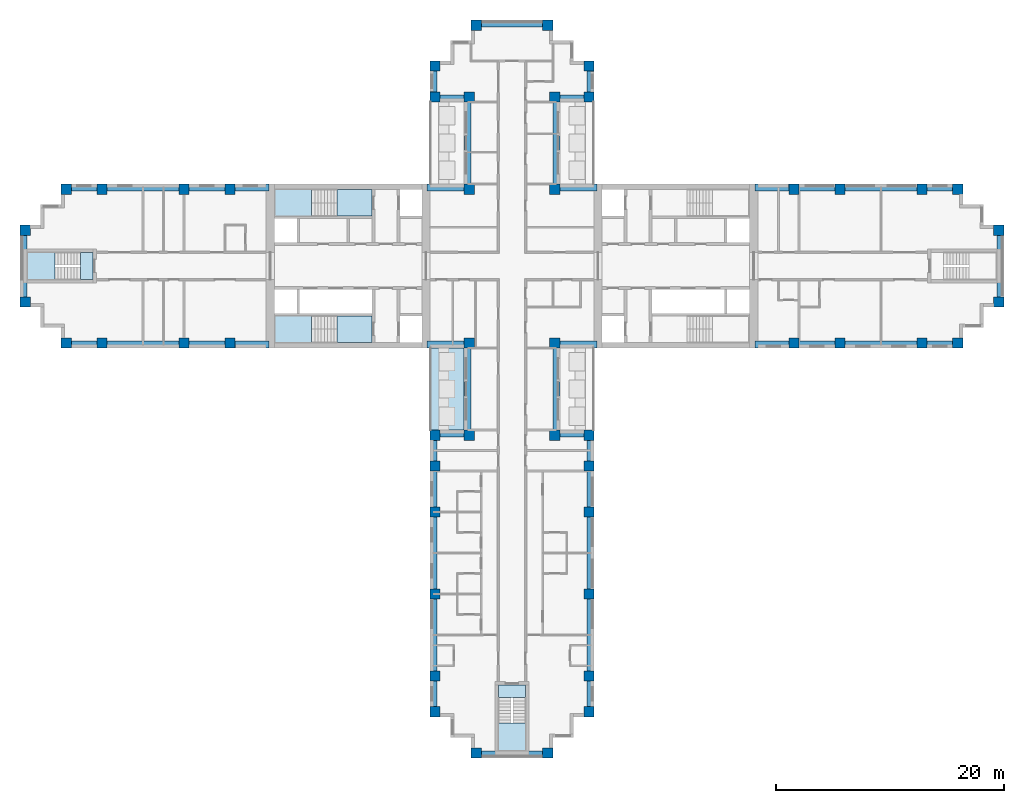
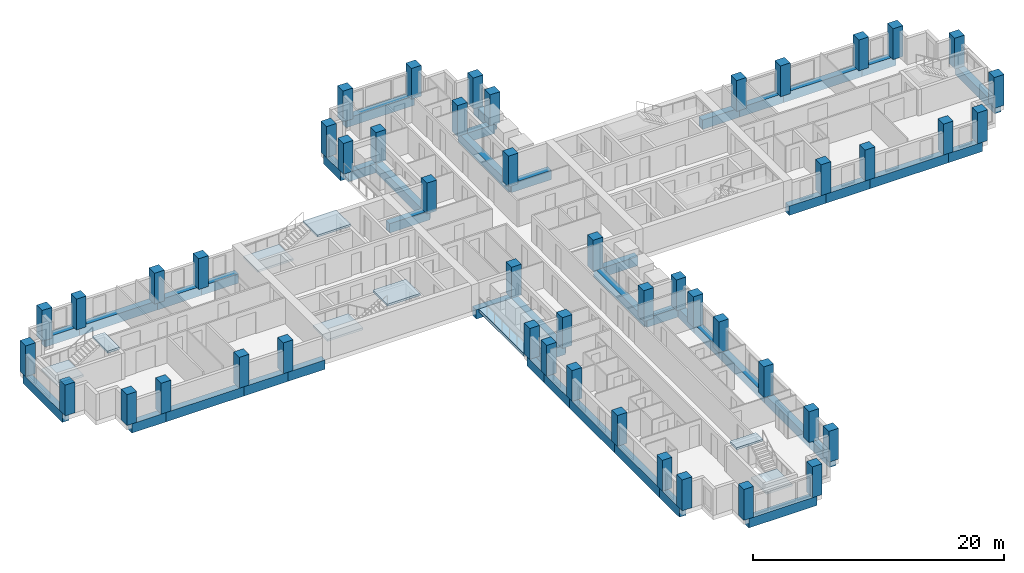
# One storey, part 1 of 13: 48 columns, 44 beams, 9 slabs, 4 elements without a shape of their own.
"""IFC4 building model written with IfcOpenShell, lengths in metres."""

from ifc_helpers import new_model, si_unit, direction, frame, origin, origin_2d, place, context, subcontext, project, spatial, polyline, rectangle, outline, extrude, material, layer, layer_set, material_profile, profile_set, type_object, element, aggregate, save


model = new_model("IFC4")

# Units and contexts
model_context = context("Model", 3, precision=1e-05, world=origin(), true_north=direction((0.0, 1.0)))
body_context = subcontext(model_context, "Body", "Model", "MODEL_VIEW")
ifc_project = project(units=[si_unit("LENGTHUNIT", "METRE"), si_unit("AREAUNIT", "SQUARE_METRE"), si_unit("VOLUMEUNIT", "CUBIC_METRE"), si_unit("PLANEANGLEUNIT", "RADIAN"), si_unit("MASSUNIT", "GRAM", prefix="KILO")], contexts=[model_context])

# Site, building, storey
site_placement = place(None, origin())
site = spatial("IfcSite", under=ifc_project, at=site_placement, CompositionType="ELEMENT")
building_placement = place(site_placement, origin())
building = spatial("IfcBuilding", under=site, at=building_placement, Name="Fustian Cross Tower", CompositionType="ELEMENT")
storey_placement = place(building_placement, frame((0.0, 0.0, 108.89990234375)))
storey = spatial("IfcBuildingStorey", under=building, at=storey_placement, Name="L34", CompositionType="ELEMENT", Elevation=108.89990234375)

# Columns
ifc_material_1 = material(Name="Concrete C60/75", Category="concrete")
ifc_material_profile_1 = material_profile(ifc_material_1, rectangle(XDim=0.89990234375, YDim=0.89990234375, at=origin_2d()), Name="RC 900x900")
ifc_profile_set_1 = profile_set([ifc_material_profile_1], Name="Concrete C60/75")
column_type = type_object("IfcColumnType", Name="COLUMN RC 900x900 C60/75", PredefinedType="COLUMN", material=ifc_profile_set_1)
for number, where, z_axis, x_axis, name in (
    (1, (-42.75, -3.14990234375, 0.0), (0.0, 0.0, 1.0), (1.0, 0.0, 0.0), "COLUMN 001"),
    (2, (-42.75, 3.14990234375, 0.0), (0.0, 0.0, 1.0), (1.0, 0.0, 0.0), "COLUMN 002"),
    (3, (-39.14990234375, -6.75, 0.0), (0.0, 0.0, 1.0), (1.0, 0.0, 0.0), "COLUMN 003"),
    (4, (-39.14990234375, 6.75, 0.0), (0.0, 0.0, 1.0), (1.0, 0.0, 0.0), "COLUMN 004"),
    (5, (-36.0, -6.75, 0.0), (0.0, 0.0, 1.0), (1.0, 0.0, 0.0), "COLUMN 005"),
    (6, (-36.0, 6.75, 0.0), (0.0, 0.0, 1.0), (1.0, 0.0, 0.0), "COLUMN 006"),
    (7, (-28.800048828125, -6.75, 0.0), (0.0, 0.0, 1.0), (1.0, 0.0, 0.0), "COLUMN 007"),
    (8, (-28.800048828125, 6.75, 0.0), (0.0, 0.0, 1.0), (1.0, 0.0, 0.0), "COLUMN 010"),
    (9, (-24.75, -6.75, 0.0), (0.0, 0.0, 1.0), (1.0, 0.0, 0.0), "COLUMN 011"),
    (10, (-24.75, 6.75, 0.0), (0.0, 0.0, 1.0), (1.0, 0.0, 0.0), "COLUMN 012"),
    (11, (-6.75, -39.14990234375, 0.0), (0.0, 0.0, 1.0), (1.0, 0.0, 0.0), "COLUMN 013"),
    (12, (-6.75, -36.0, 0.0), (0.0, 0.0, 1.0), (1.0, 0.0, 0.0), "COLUMN 014"),
    (13, (-6.75, -28.800048828125, 0.0), (0.0, 0.0, 1.0), (1.0, 0.0, 0.0), "COLUMN 015"),
    (14, (-6.75, -21.60009765625, 0.0), (0.0, 0.0, 1.0), (1.0, 0.0, 0.0), "COLUMN 016"),
    (15, (-6.75, -17.550048828125, 0.0), (0.0, 0.0, 1.0), (1.0, 0.0, 0.0), "COLUMN 017"),
    (16, (-6.75, -14.85009765625, 0.0), (0.0, 0.0, 1.0), (1.0, 0.0, 0.0), "COLUMN 018"),
    (17, (-6.75, 14.85009765625, 0.0), (0.0, 0.0, 1.0), (1.0, 0.0, 0.0), "COLUMN 019"),
    (18, (-6.75, 17.550048828125, 0.0), (0.0, 0.0, 1.0), (1.0, 0.0, 0.0), "COLUMN 020"),
    (19, (-3.75, -14.85009765625, 0.0), (0.0, 0.0, 1.0), (1.0, 0.0, 0.0), "COLUMN 025"),
    (20, (-3.75, -6.75, 0.0), (0.0, 0.0, 1.0), (1.0, 0.0, 0.0), "COLUMN 026"),
    (21, (-3.75, 6.75, 0.0), (0.0, 0.0, 1.0), (1.0, 0.0, 0.0), "COLUMN 027"),
    (22, (-3.75, 14.85009765625, 0.0), (0.0, 0.0, 1.0), (1.0, 0.0, 0.0), "COLUMN 028"),
    (23, (-3.14990234375, -42.75, 0.0), (0.0, 0.0, 1.0), (1.0, 0.0, 0.0), "COLUMN 029"),
    (24, (-3.14990234375, 21.14990234375, 0.0), (0.0, 0.0, 1.0), (1.0, 0.0, 0.0), "COLUMN 031"),
    (25, (3.14990234375, -42.75, 0.0), (0.0, 0.0, 1.0), (1.0, 0.0, 0.0), "COLUMN 033"),
    (26, (3.14990234375, 21.14990234375, 0.0), (0.0, 0.0, 1.0), (1.0, 0.0, 0.0), "COLUMN 035"),
    (27, (3.75, -14.85009765625, 0.0), (0.0, 0.0, 1.0), (1.0, 0.0, 0.0), "COLUMN 037"),
    (28, (3.75, -6.75, 0.0), (0.0, 0.0, 1.0), (1.0, 0.0, 0.0), "COLUMN 038"),
    (29, (3.75, 6.75, 0.0), (0.0, 0.0, 1.0), (1.0, 0.0, 0.0), "COLUMN 039"),
    (30, (3.75, 14.85009765625, 0.0), (0.0, 0.0, 1.0), (1.0, 0.0, 0.0), "COLUMN 040"),
    (31, (6.75, -39.14990234375, 0.0), (0.0, 0.0, 1.0), (1.0, 0.0, 0.0), "COLUMN 041"),
    (32, (6.75, -36.0, 0.0), (0.0, 0.0, 1.0), (1.0, 0.0, 0.0), "COLUMN 042"),
    (33, (6.75, -28.800048828125, 0.0), (0.0, 0.0, 1.0), (1.0, 0.0, 0.0), "COLUMN 043"),
    (34, (6.75, -21.60009765625, 0.0), (0.0, 0.0, 1.0), (1.0, 0.0, 0.0), "COLUMN 044"),
    (35, (6.75, -17.550048828125, 0.0), (0.0, 0.0, 1.0), (1.0, 0.0, 0.0), "COLUMN 045"),
    (36, (6.75, -14.85009765625, 0.0), (0.0, 0.0, 1.0), (1.0, 0.0, 0.0), "COLUMN 046"),
    (37, (6.75, 14.85009765625, 0.0), (0.0, 0.0, 1.0), (1.0, 0.0, 0.0), "COLUMN 047"),
    (38, (6.75, 17.550048828125, 0.0), (0.0, 0.0, 1.0), (1.0, 0.0, 0.0), "COLUMN 048"),
    (39, (24.75, -6.75, 0.0), (0.0, 0.0, 1.0), (1.0, 0.0, 0.0), "COLUMN 053"),
    (40, (24.75, 6.75, 0.0), (0.0, 0.0, 1.0), (1.0, 0.0, 0.0), "COLUMN 054"),
    (41, (28.800048828125, -6.75, 0.0), (0.0, 0.0, 1.0), (1.0, 0.0, 0.0), "COLUMN 055"),
    (42, (28.800048828125, 6.75, 0.0), (0.0, 0.0, 1.0), (1.0, 0.0, 0.0), "COLUMN 058"),
    (43, (36.0, -6.75, 0.0), (0.0, 0.0, 1.0), (1.0, 0.0, 0.0), "COLUMN 059"),
    (44, (36.0, 6.75, 0.0), (0.0, 0.0, 1.0), (1.0, 0.0, 0.0), "COLUMN 060"),
    (45, (39.14990234375, -6.75, 0.0), (0.0, 0.0, 1.0), (1.0, 0.0, 0.0), "COLUMN 061"),
    (46, (39.14990234375, 6.75, 0.0), (0.0, 0.0, 1.0), (1.0, 0.0, 0.0), "COLUMN 062"),
    (47, (42.75, -3.14990234375, 0.0), (0.0, 0.0, 1.0), (1.0, 0.0, 0.0), "COLUMN 063"),
    (48, (42.75, 3.14990234375, 0.0), (0.0, 0.0, 1.0), (1.0, 0.0, 0.0), "COLUMN 064"),
):
    element("IfcColumn", number, at=place(storey_placement, frame(where, z_axis=z_axis, x_axis=x_axis)), inside=storey, type_object=column_type, Name=name, PredefinedType="COLUMN", context=body_context, shape_type="SweptSolid", body=[
        extrude(rectangle(XDim=0.89990234375, YDim=0.89990234375, at=origin_2d()), origin(), (0.0, 0.0, 1.0), 3.0),
    ])

# Beams
ifc_material_2 = material(Name="Concrete C50/60", Category="concrete")
ifc_material_profile_2 = material_profile(ifc_material_2, rectangle(XDim=0.60009765625, YDim=0.89990234375, at=origin_2d()), Name="RC 600x900")
ifc_profile_set_2 = profile_set([ifc_material_profile_2], Name="Concrete C50/60")
beam_type = type_object("IfcBeamType", Name="EDGE BEAM RC 600x900 C50/60", PredefinedType="SPANDREL", material=ifc_profile_set_2)
beam_1_placement = place(storey_placement, frame((21.35009765625, -6.89990234375, -0.449951171875), z_axis=(1.0, 0.0, 0.0), x_axis=(0.0, 1.0, 0.0)))
element("IfcBeam", 49, at=beam_1_placement, inside=storey, type_object=beam_type, Name="EDGE BEAM L34-01", PredefinedType="SPANDREL", context=body_context, shape_type="SweptSolid", body=[
    extrude(rectangle(XDim=0.60009765625, YDim=0.89990234375, at=origin_2d()), origin(), (0.0, 0.0, 1.0), 3.39990234375),
])
beam_2_placement = place(storey_placement, frame((24.75, -6.89990234375, -0.449951171875), z_axis=(1.0, 0.0, 0.0), x_axis=(0.0, 1.0, 0.0)))
element("IfcBeam", 50, at=beam_2_placement, inside=storey, type_object=beam_type, Name="EDGE BEAM L34-02", PredefinedType="SPANDREL", context=body_context, shape_type="SweptSolid", body=[
    extrude(rectangle(XDim=0.60009765625, YDim=0.89990234375, at=origin_2d()), origin(), (0.0, 0.0, 1.0), 4.050048828125),
])
beam_3_placement = place(storey_placement, frame((28.800048828125, -6.89990234375, -0.449951171875), z_axis=(1.0, 0.0, 0.0), x_axis=(0.0, 1.0, 0.0)))
element("IfcBeam", 51, at=beam_3_placement, inside=storey, type_object=beam_type, Name="EDGE BEAM L34-03", PredefinedType="SPANDREL", context=body_context, shape_type="SweptSolid", body=[
    extrude(rectangle(XDim=0.60009765625, YDim=0.89990234375, at=origin_2d()), origin(), (0.0, 0.0, 1.0), 7.199951171875),
])
beam_4_placement = place(storey_placement, frame((36.0, -6.89990234375, -0.449951171875), z_axis=(1.0, 0.0, 0.0), x_axis=(0.0, 1.0, 0.0)))
element("IfcBeam", 52, at=beam_4_placement, inside=storey, type_object=beam_type, Name="EDGE BEAM L34-04", PredefinedType="SPANDREL", context=body_context, shape_type="SweptSolid", body=[
    extrude(rectangle(XDim=0.60009765625, YDim=0.89990234375, at=origin_2d()), origin(), (0.0, 0.0, 1.0), 3.14990234375),
])
beam_5_placement = place(storey_placement, frame((42.89990234375, -3.14990234375, -0.449951171875), z_axis=(0.0, 1.0, 0.0), x_axis=(-1.0, 0.0, 0.0)))
element("IfcBeam", 53, at=beam_5_placement, inside=storey, type_object=beam_type, Name="EDGE BEAM L34-05", PredefinedType="SPANDREL", context=body_context, shape_type="SweptSolid", body=[
    extrude(rectangle(XDim=0.60009765625, YDim=0.89990234375, at=origin_2d()), origin(), (0.0, 0.0, 1.0), 6.2998046875),
])
beam_6_placement = place(storey_placement, frame((39.14990234375, 6.89990234375, -0.449951171875), z_axis=(-1.0, 0.0, 0.0), x_axis=(0.0, -1.0, 0.0)))
element("IfcBeam", 54, at=beam_6_placement, inside=storey, type_object=beam_type, Name="EDGE BEAM L34-06", PredefinedType="SPANDREL", context=body_context, shape_type="SweptSolid", body=[
    extrude(rectangle(XDim=0.60009765625, YDim=0.89990234375, at=origin_2d()), origin(), (0.0, 0.0, 1.0), 3.14990234375),
])
beam_7_placement = place(storey_placement, frame((36.0, 6.89990234375, -0.449951171875), z_axis=(-1.0, 0.0, 0.0), x_axis=(0.0, -1.0, 0.0)))
element("IfcBeam", 55, at=beam_7_placement, inside=storey, type_object=beam_type, Name="EDGE BEAM L34-07", PredefinedType="SPANDREL", context=body_context, shape_type="SweptSolid", body=[
    extrude(rectangle(XDim=0.60009765625, YDim=0.89990234375, at=origin_2d()), origin(), (0.0, 0.0, 1.0), 7.199951171875),
])
beam_8_placement = place(storey_placement, frame((28.800048828125, 6.89990234375, -0.449951171875), z_axis=(-1.0, 0.0, 0.0), x_axis=(0.0, -1.0, 0.0)))
element("IfcBeam", 56, at=beam_8_placement, inside=storey, type_object=beam_type, Name="EDGE BEAM L34-08", PredefinedType="SPANDREL", context=body_context, shape_type="SweptSolid", body=[
    extrude(rectangle(XDim=0.60009765625, YDim=0.89990234375, at=origin_2d()), origin(), (0.0, 0.0, 1.0), 4.050048828125),
])
beam_9_placement = place(storey_placement, frame((24.75, 6.89990234375, -0.449951171875), z_axis=(-1.0, 0.0, 0.0), x_axis=(0.0, -1.0, 0.0)))
element("IfcBeam", 57, at=beam_9_placement, inside=storey, type_object=beam_type, Name="EDGE BEAM L34-09", PredefinedType="SPANDREL", context=body_context, shape_type="SweptSolid", body=[
    extrude(rectangle(XDim=0.60009765625, YDim=0.89990234375, at=origin_2d()), origin(), (0.0, 0.0, 1.0), 3.39990234375),
])
beam_10_placement = place(storey_placement, frame((7.449951171875, 6.89990234375, -0.449951171875), z_axis=(-1.0, 0.0, 0.0), x_axis=(0.0, -1.0, 0.0)))
element("IfcBeam", 58, at=beam_10_placement, inside=storey, type_object=beam_type, Name="EDGE BEAM L34-10", PredefinedType="SPANDREL", context=body_context, shape_type="SweptSolid", body=[
    extrude(rectangle(XDim=0.60009765625, YDim=0.89990234375, at=origin_2d()), origin(), (0.0, 0.0, 1.0), 3.699951171875),
])
beam_11_placement = place(storey_placement, frame((3.89990234375, 6.75, -0.449951171875), z_axis=(0.0, 1.0, 0.0), x_axis=(-1.0, 0.0, 0.0)))
element("IfcBeam", 59, at=beam_11_placement, inside=storey, type_object=beam_type, Name="EDGE BEAM L34-11", PredefinedType="SPANDREL", context=body_context, shape_type="SweptSolid", body=[
    extrude(rectangle(XDim=0.60009765625, YDim=0.89990234375, at=origin_2d()), origin(), (0.0, 0.0, 1.0), 8.10009765625),
])
beam_12_placement = place(storey_placement, frame((3.75, 14.699951171875, -0.449951171875), z_axis=(1.0, 0.0, 0.0), x_axis=(0.0, 1.0, 0.0)))
element("IfcBeam", 60, at=beam_12_placement, inside=storey, type_object=beam_type, Name="EDGE BEAM L34-12", PredefinedType="SPANDREL", context=body_context, shape_type="SweptSolid", body=[
    extrude(rectangle(XDim=0.60009765625, YDim=0.89990234375, at=origin_2d()), origin(), (0.0, 0.0, 1.0), 3.0),
])
beam_13_placement = place(storey_placement, frame((6.89990234375, 14.85009765625, -0.449951171875), z_axis=(0.0, 1.0, 0.0), x_axis=(-1.0, 0.0, 0.0)))
element("IfcBeam", 61, at=beam_13_placement, inside=storey, type_object=beam_type, Name="EDGE BEAM L34-13", PredefinedType="SPANDREL", context=body_context, shape_type="SweptSolid", body=[
    extrude(rectangle(XDim=0.60009765625, YDim=0.89990234375, at=origin_2d()), origin(), (0.0, 0.0, 1.0), 2.699951171875),
])
beam_14_placement = place(storey_placement, frame((3.14990234375, 21.300048828125, -0.449951171875), z_axis=(-1.0, 0.0, 0.0), x_axis=(0.0, -1.0, 0.0)))
element("IfcBeam", 62, at=beam_14_placement, inside=storey, type_object=beam_type, Name="EDGE BEAM L34-14", PredefinedType="SPANDREL", context=body_context, shape_type="SweptSolid", body=[
    extrude(rectangle(XDim=0.60009765625, YDim=0.89990234375, at=origin_2d()), origin(), (0.0, 0.0, 1.0), 6.2998046875),
])
beam_15_placement = place(storey_placement, frame((-6.89990234375, 17.550048828125, -0.449951171875), z_axis=(0.0, -1.0, 0.0), x_axis=(1.0, 0.0, 0.0)))
element("IfcBeam", 63, at=beam_15_placement, inside=storey, type_object=beam_type, Name="EDGE BEAM L34-15", PredefinedType="SPANDREL", context=body_context, shape_type="SweptSolid", body=[
    extrude(rectangle(XDim=0.60009765625, YDim=0.89990234375, at=origin_2d()), origin(), (0.0, 0.0, 1.0), 2.699951171875),
])
beam_16_placement = place(storey_placement, frame((-6.75, 14.699951171875, -0.449951171875), z_axis=(1.0, 0.0, 0.0), x_axis=(0.0, 1.0, 0.0)))
element("IfcBeam", 64, at=beam_16_placement, inside=storey, type_object=beam_type, Name="EDGE BEAM L34-16", PredefinedType="SPANDREL", context=body_context, shape_type="SweptSolid", body=[
    extrude(rectangle(XDim=0.60009765625, YDim=0.89990234375, at=origin_2d()), origin(), (0.0, 0.0, 1.0), 3.0),
])
beam_17_placement = place(storey_placement, frame((-3.89990234375, 14.85009765625, -0.449951171875), z_axis=(0.0, -1.0, 0.0), x_axis=(1.0, 0.0, 0.0)))
element("IfcBeam", 65, at=beam_17_placement, inside=storey, type_object=beam_type, Name="EDGE BEAM L34-17", PredefinedType="SPANDREL", context=body_context, shape_type="SweptSolid", body=[
    extrude(rectangle(XDim=0.60009765625, YDim=0.89990234375, at=origin_2d()), origin(), (0.0, 0.0, 1.0), 8.10009765625),
])
beam_18_placement = place(storey_placement, frame((-3.75, 6.89990234375, -0.449951171875), z_axis=(-1.0, 0.0, 0.0), x_axis=(0.0, -1.0, 0.0)))
element("IfcBeam", 66, at=beam_18_placement, inside=storey, type_object=beam_type, Name="EDGE BEAM L34-18", PredefinedType="SPANDREL", context=body_context, shape_type="SweptSolid", body=[
    extrude(rectangle(XDim=0.60009765625, YDim=0.89990234375, at=origin_2d()), origin(), (0.0, 0.0, 1.0), 3.699951171875),
])
beam_19_placement = place(storey_placement, frame((-21.35009765625, 6.89990234375, -0.449951171875), z_axis=(-1.0, 0.0, 0.0), x_axis=(0.0, -1.0, 0.0)))
element("IfcBeam", 67, at=beam_19_placement, inside=storey, type_object=beam_type, Name="EDGE BEAM L34-19", PredefinedType="SPANDREL", context=body_context, shape_type="SweptSolid", body=[
    extrude(rectangle(XDim=0.60009765625, YDim=0.89990234375, at=origin_2d()), origin(), (0.0, 0.0, 1.0), 3.39990234375),
])
beam_20_placement = place(storey_placement, frame((-24.75, 6.89990234375, -0.449951171875), z_axis=(-1.0, 0.0, 0.0), x_axis=(0.0, -1.0, 0.0)))
element("IfcBeam", 68, at=beam_20_placement, inside=storey, type_object=beam_type, Name="EDGE BEAM L34-20", PredefinedType="SPANDREL", context=body_context, shape_type="SweptSolid", body=[
    extrude(rectangle(XDim=0.60009765625, YDim=0.89990234375, at=origin_2d()), origin(), (0.0, 0.0, 1.0), 4.050048828125),
])
beam_21_placement = place(storey_placement, frame((-28.800048828125, 6.89990234375, -0.449951171875), z_axis=(-1.0, 0.0, 0.0), x_axis=(0.0, -1.0, 0.0)))
element("IfcBeam", 69, at=beam_21_placement, inside=storey, type_object=beam_type, Name="EDGE BEAM L34-21", PredefinedType="SPANDREL", context=body_context, shape_type="SweptSolid", body=[
    extrude(rectangle(XDim=0.60009765625, YDim=0.89990234375, at=origin_2d()), origin(), (0.0, 0.0, 1.0), 7.199951171875),
])
beam_22_placement = place(storey_placement, frame((-36.0, 6.89990234375, -0.449951171875), z_axis=(-1.0, 0.0, 0.0), x_axis=(0.0, -1.0, 0.0)))
element("IfcBeam", 70, at=beam_22_placement, inside=storey, type_object=beam_type, Name="EDGE BEAM L34-22", PredefinedType="SPANDREL", context=body_context, shape_type="SweptSolid", body=[
    extrude(rectangle(XDim=0.60009765625, YDim=0.89990234375, at=origin_2d()), origin(), (0.0, 0.0, 1.0), 3.14990234375),
])
beam_23_placement = place(storey_placement, frame((-42.89990234375, 3.14990234375, -0.449951171875), z_axis=(0.0, -1.0, 0.0), x_axis=(1.0, 0.0, 0.0)))
element("IfcBeam", 71, at=beam_23_placement, inside=storey, type_object=beam_type, Name="EDGE BEAM L34-23", PredefinedType="SPANDREL", context=body_context, shape_type="SweptSolid", body=[
    extrude(rectangle(XDim=0.60009765625, YDim=0.89990234375, at=origin_2d()), origin(), (0.0, 0.0, 1.0), 6.2998046875),
])
beam_24_placement = place(storey_placement, frame((-39.14990234375, -6.89990234375, -0.449951171875), z_axis=(1.0, 0.0, 0.0), x_axis=(0.0, 1.0, 0.0)))
element("IfcBeam", 72, at=beam_24_placement, inside=storey, type_object=beam_type, Name="EDGE BEAM L34-24", PredefinedType="SPANDREL", context=body_context, shape_type="SweptSolid", body=[
    extrude(rectangle(XDim=0.60009765625, YDim=0.89990234375, at=origin_2d()), origin(), (0.0, 0.0, 1.0), 3.14990234375),
])
beam_25_placement = place(storey_placement, frame((-36.0, -6.89990234375, -0.449951171875), z_axis=(1.0, 0.0, 0.0), x_axis=(0.0, 1.0, 0.0)))
element("IfcBeam", 73, at=beam_25_placement, inside=storey, type_object=beam_type, Name="EDGE BEAM L34-25", PredefinedType="SPANDREL", context=body_context, shape_type="SweptSolid", body=[
    extrude(rectangle(XDim=0.60009765625, YDim=0.89990234375, at=origin_2d()), origin(), (0.0, 0.0, 1.0), 7.199951171875),
])
beam_26_placement = place(storey_placement, frame((-28.800048828125, -6.89990234375, -0.449951171875), z_axis=(1.0, 0.0, 0.0), x_axis=(0.0, 1.0, 0.0)))
element("IfcBeam", 74, at=beam_26_placement, inside=storey, type_object=beam_type, Name="EDGE BEAM L34-26", PredefinedType="SPANDREL", context=body_context, shape_type="SweptSolid", body=[
    extrude(rectangle(XDim=0.60009765625, YDim=0.89990234375, at=origin_2d()), origin(), (0.0, 0.0, 1.0), 4.050048828125),
])
beam_27_placement = place(storey_placement, frame((-24.75, -6.89990234375, -0.449951171875), z_axis=(1.0, 0.0, 0.0), x_axis=(0.0, 1.0, 0.0)))
element("IfcBeam", 75, at=beam_27_placement, inside=storey, type_object=beam_type, Name="EDGE BEAM L34-27", PredefinedType="SPANDREL", context=body_context, shape_type="SweptSolid", body=[
    extrude(rectangle(XDim=0.60009765625, YDim=0.89990234375, at=origin_2d()), origin(), (0.0, 0.0, 1.0), 3.39990234375),
])
beam_28_placement = place(storey_placement, frame((-7.449951171875, -6.89990234375, -0.449951171875), z_axis=(1.0, 0.0, 0.0), x_axis=(0.0, 1.0, 0.0)))
element("IfcBeam", 76, at=beam_28_placement, inside=storey, type_object=beam_type, Name="EDGE BEAM L34-28", PredefinedType="SPANDREL", context=body_context, shape_type="SweptSolid", body=[
    extrude(rectangle(XDim=0.60009765625, YDim=0.89990234375, at=origin_2d()), origin(), (0.0, 0.0, 1.0), 3.699951171875),
])
beam_29_placement = place(storey_placement, frame((-3.89990234375, -6.75, -0.449951171875), z_axis=(0.0, -1.0, 0.0), x_axis=(1.0, 0.0, 0.0)))
element("IfcBeam", 77, at=beam_29_placement, inside=storey, type_object=beam_type, Name="EDGE BEAM L34-29", PredefinedType="SPANDREL", context=body_context, shape_type="SweptSolid", body=[
    extrude(rectangle(XDim=0.60009765625, YDim=0.89990234375, at=origin_2d()), origin(), (0.0, 0.0, 1.0), 8.10009765625),
])
beam_30_placement = place(storey_placement, frame((-3.75, -14.699951171875, -0.449951171875), z_axis=(-1.0, 0.0, 0.0), x_axis=(0.0, -1.0, 0.0)))
element("IfcBeam", 78, at=beam_30_placement, inside=storey, type_object=beam_type, Name="EDGE BEAM L34-30", PredefinedType="SPANDREL", context=body_context, shape_type="SweptSolid", body=[
    extrude(rectangle(XDim=0.60009765625, YDim=0.89990234375, at=origin_2d()), origin(), (0.0, 0.0, 1.0), 3.0),
])
beam_31_placement = place(storey_placement, frame((-6.89990234375, -14.85009765625, -0.449951171875), z_axis=(0.0, -1.0, 0.0), x_axis=(1.0, 0.0, 0.0)))
element("IfcBeam", 79, at=beam_31_placement, inside=storey, type_object=beam_type, Name="EDGE BEAM L34-31", PredefinedType="SPANDREL", context=body_context, shape_type="SweptSolid", body=[
    extrude(rectangle(XDim=0.60009765625, YDim=0.89990234375, at=origin_2d()), origin(), (0.0, 0.0, 1.0), 2.699951171875),
])
beam_32_placement = place(storey_placement, frame((-6.89990234375, -17.550048828125, -0.449951171875), z_axis=(0.0, -1.0, 0.0), x_axis=(1.0, 0.0, 0.0)))
element("IfcBeam", 80, at=beam_32_placement, inside=storey, type_object=beam_type, Name="EDGE BEAM L34-32", PredefinedType="SPANDREL", context=body_context, shape_type="SweptSolid", body=[
    extrude(rectangle(XDim=0.60009765625, YDim=0.89990234375, at=origin_2d()), origin(), (0.0, 0.0, 1.0), 4.050048828125),
])
for number, where, z_axis, x_axis, name in (
    (81, (-6.89990234375, -21.60009765625, -0.449951171875), (0.0, -1.0, 0.0), (1.0, 0.0, 0.0), "EDGE BEAM L34-33"),
    (82, (-6.89990234375, -28.800048828125, -0.449951171875), (0.0, -1.0, 0.0), (1.0, 0.0, 0.0), "EDGE BEAM L34-34"),
):
    element("IfcBeam", number, at=place(storey_placement, frame(where, z_axis=z_axis, x_axis=x_axis)), inside=storey, type_object=beam_type, Name=name, PredefinedType="SPANDREL", context=body_context, shape_type="SweptSolid", body=[
        extrude(rectangle(XDim=0.60009765625, YDim=0.89990234375, at=origin_2d()), origin(), (0.0, 0.0, 1.0), 7.199951171875),
    ])
beam_33_placement = place(storey_placement, frame((-6.89990234375, -36.0, -0.449951171875), z_axis=(0.0, -1.0, 0.0), x_axis=(1.0, 0.0, 0.0)))
element("IfcBeam", 83, at=beam_33_placement, inside=storey, type_object=beam_type, Name="EDGE BEAM L34-35", PredefinedType="SPANDREL", context=body_context, shape_type="SweptSolid", body=[
    extrude(rectangle(XDim=0.60009765625, YDim=0.89990234375, at=origin_2d()), origin(), (0.0, 0.0, 1.0), 3.14990234375),
])
beam_34_placement = place(storey_placement, frame((-3.14990234375, -42.89990234375, -0.449951171875), z_axis=(1.0, 0.0, 0.0), x_axis=(0.0, 1.0, 0.0)))
element("IfcBeam", 84, at=beam_34_placement, inside=storey, type_object=beam_type, Name="EDGE BEAM L34-36", PredefinedType="SPANDREL", context=body_context, shape_type="SweptSolid", body=[
    extrude(rectangle(XDim=0.60009765625, YDim=0.89990234375, at=origin_2d()), origin(), (0.0, 0.0, 1.0), 6.2998046875),
])
beam_35_placement = place(storey_placement, frame((6.89990234375, -39.14990234375, -0.449951171875), z_axis=(0.0, 1.0, 0.0), x_axis=(-1.0, 0.0, 0.0)))
element("IfcBeam", 85, at=beam_35_placement, inside=storey, type_object=beam_type, Name="EDGE BEAM L34-37", PredefinedType="SPANDREL", context=body_context, shape_type="SweptSolid", body=[
    extrude(rectangle(XDim=0.60009765625, YDim=0.89990234375, at=origin_2d()), origin(), (0.0, 0.0, 1.0), 3.14990234375),
])
for number, where, z_axis, x_axis, name in (
    (86, (6.89990234375, -36.0, -0.449951171875), (0.0, 1.0, 0.0), (-1.0, 0.0, 0.0), "EDGE BEAM L34-38"),
    (87, (6.89990234375, -28.800048828125, -0.449951171875), (0.0, 1.0, 0.0), (-1.0, 0.0, 0.0), "EDGE BEAM L34-39"),
):
    element("IfcBeam", number, at=place(storey_placement, frame(where, z_axis=z_axis, x_axis=x_axis)), inside=storey, type_object=beam_type, Name=name, PredefinedType="SPANDREL", context=body_context, shape_type="SweptSolid", body=[
        extrude(rectangle(XDim=0.60009765625, YDim=0.89990234375, at=origin_2d()), origin(), (0.0, 0.0, 1.0), 7.199951171875),
    ])
beam_36_placement = place(storey_placement, frame((6.89990234375, -21.60009765625, -0.449951171875), z_axis=(0.0, 1.0, 0.0), x_axis=(-1.0, 0.0, 0.0)))
element("IfcBeam", 88, at=beam_36_placement, inside=storey, type_object=beam_type, Name="EDGE BEAM L34-40", PredefinedType="SPANDREL", context=body_context, shape_type="SweptSolid", body=[
    extrude(rectangle(XDim=0.60009765625, YDim=0.89990234375, at=origin_2d()), origin(), (0.0, 0.0, 1.0), 4.050048828125),
])
beam_37_placement = place(storey_placement, frame((6.89990234375, -17.550048828125, -0.449951171875), z_axis=(0.0, 1.0, 0.0), x_axis=(-1.0, 0.0, 0.0)))
element("IfcBeam", 89, at=beam_37_placement, inside=storey, type_object=beam_type, Name="EDGE BEAM L34-41", PredefinedType="SPANDREL", context=body_context, shape_type="SweptSolid", body=[
    extrude(rectangle(XDim=0.60009765625, YDim=0.89990234375, at=origin_2d()), origin(), (0.0, 0.0, 1.0), 2.699951171875),
])
beam_38_placement = place(storey_placement, frame((6.75, -14.699951171875, -0.449951171875), z_axis=(-1.0, 0.0, 0.0), x_axis=(0.0, -1.0, 0.0)))
element("IfcBeam", 90, at=beam_38_placement, inside=storey, type_object=beam_type, Name="EDGE BEAM L34-42", PredefinedType="SPANDREL", context=body_context, shape_type="SweptSolid", body=[
    extrude(rectangle(XDim=0.60009765625, YDim=0.89990234375, at=origin_2d()), origin(), (0.0, 0.0, 1.0), 3.0),
])
beam_39_placement = place(storey_placement, frame((3.89990234375, -14.85009765625, -0.449951171875), z_axis=(0.0, 1.0, 0.0), x_axis=(-1.0, 0.0, 0.0)))
element("IfcBeam", 91, at=beam_39_placement, inside=storey, type_object=beam_type, Name="EDGE BEAM L34-43", PredefinedType="SPANDREL", context=body_context, shape_type="SweptSolid", body=[
    extrude(rectangle(XDim=0.60009765625, YDim=0.89990234375, at=origin_2d()), origin(), (0.0, 0.0, 1.0), 8.10009765625),
])
beam_40_placement = place(storey_placement, frame((3.75, -6.89990234375, -0.449951171875), z_axis=(1.0, 0.0, 0.0), x_axis=(0.0, 1.0, 0.0)))
element("IfcBeam", 92, at=beam_40_placement, inside=storey, type_object=beam_type, Name="EDGE BEAM L34-44", PredefinedType="SPANDREL", context=body_context, shape_type="SweptSolid", body=[
    extrude(rectangle(XDim=0.60009765625, YDim=0.89990234375, at=origin_2d()), origin(), (0.0, 0.0, 1.0), 3.699951171875),
])

# Slab
ifc_material_3 = material(Name="Concrete C40/50", Category="concrete")
ifc_layer_1 = layer(ifc_material_3, 0.300048828125)
ifc_layer_set_1 = layer_set([ifc_layer_1], Name="Concrete C40/50")
slab_type_1 = type_object("IfcSlabType", Name="BS1 BALCONY SLAB 300", PredefinedType="FLOOR", material=ifc_layer_set_1)
slab_1_placement = place(storey_placement, frame((0.0, 0.0, -0.2998046875)))
element("IfcSlab", 93, at=slab_1_placement, inside=storey, type_object=slab_type_1, Name="Balcony slab", PredefinedType="FLOOR", context=body_context, shape_type="SweptSolid", body=[
    extrude(outline(polyline([(-7.199951171875, -14.39990234375), (-4.199951171875, -14.39990234375), (-4.199951171875, -7.199951171875), (-7.199951171875, -7.199951171875), (-7.199951171875, -14.39990234375)])), origin(), (0.0, 0.0, 1.0), 0.2998046875),
])

# Stair, slabs
ifc_material_4 = material(Name="Concrete C50/60", Category="concrete")
stair_type_1 = type_object("IfcStairType", Name="STAIR 1150 HALF TURN", PredefinedType="HALF_TURN_STAIR", material=ifc_material_4)
stair_1_placement = place(storey_placement, origin())
stair_1 = element("IfcStair", 94, at=stair_1_placement, inside=storey, type_object=stair_type_1, Name="Stair ST3", PredefinedType="HALF_TURN_STAIR")
ifc_material_5 = material(Name="Concrete C50/60", Category="concrete")
ifc_layer_2 = layer(ifc_material_5, 0.199951171875)
ifc_layer_set_2 = layer_set([ifc_layer_2], Name="Concrete C50/60")
slab_type_2 = type_object("IfcSlabType", Name="STAIR LANDING", PredefinedType="LANDING", material=ifc_layer_set_2)
slab_2_placement = place(storey_placement, frame((0.0, 0.0, 1.300048828125)))
slab_2 = element("IfcSlab", 95, at=slab_2_placement, type_object=slab_type_2, Name="ST3 landing 1", PredefinedType="LANDING", context=body_context, shape_type="SweptSolid", body=[
    extrude(outline(polyline([(-17.590087890625, 4.39990234375), (-20.85009765625, 4.39990234375), (-20.85009765625, 6.699951171875), (-17.590087890625, 6.699951171875), (-17.590087890625, 4.39990234375)])), origin(), (0.0, 0.0, 1.0), 0.199951171875),
])
slab_3_placement = place(storey_placement, frame((0.0, 0.0, 2.800048828125)))
slab_3 = element("IfcSlab", 96, at=slab_3_placement, type_object=slab_type_2, Name="ST3 landing 2", PredefinedType="LANDING", context=body_context, shape_type="SweptSolid", body=[
    extrude(outline(polyline([(-12.300048828125, 4.39990234375), (-15.35009765625, 4.39990234375), (-15.35009765625, 6.699951171875), (-12.300048828125, 6.699951171875), (-12.300048828125, 4.39990234375)])), origin(), (0.0, 0.0, 1.0), 0.199951171875),
])
aggregate(stair_1, [slab_2, slab_3])

stair_2_placement = place(storey_placement, origin())
stair_2 = element("IfcStair", 97, at=stair_2_placement, inside=storey, type_object=stair_type_1, Name="Stair ST4", PredefinedType="HALF_TURN_STAIR")
slab_4_placement = place(storey_placement, frame((0.0, 0.0, 1.300048828125)))
slab_4 = element("IfcSlab", 98, at=slab_4_placement, type_object=slab_type_2, Name="ST4 landing 1", PredefinedType="LANDING", context=body_context, shape_type="SweptSolid", body=[
    extrude(outline(polyline([(-17.590087890625, -4.39990234375), (-20.85009765625, -4.39990234375), (-20.85009765625, -6.699951171875), (-17.590087890625, -6.699951171875), (-17.590087890625, -4.39990234375)])), origin(), (0.0, 0.0, 1.0), 0.199951171875),
])
slab_5_placement = place(storey_placement, frame((0.0, 0.0, 2.800048828125)))
slab_5 = element("IfcSlab", 99, at=slab_5_placement, type_object=slab_type_2, Name="ST4 landing 2", PredefinedType="LANDING", context=body_context, shape_type="SweptSolid", body=[
    extrude(outline(polyline([(-12.300048828125, -4.39990234375), (-15.35009765625, -4.39990234375), (-15.35009765625, -6.699951171875), (-12.300048828125, -6.699951171875), (-12.300048828125, -4.39990234375)])), origin(), (0.0, 0.0, 1.0), 0.199951171875),
])
aggregate(stair_2, [slab_4, slab_5])

ifc_material_6 = material(Name="Concrete C50/60", Category="concrete")
stair_type_2 = type_object("IfcStairType", Name="STAIR 1100 HALF TURN", PredefinedType="HALF_TURN_STAIR", material=ifc_material_6)
stair_3_placement = place(storey_placement, origin())
stair_3 = element("IfcStair", 100, at=stair_3_placement, inside=storey, type_object=stair_type_2, Name="Stair ST6", PredefinedType="HALF_TURN_STAIR")
slab_6_placement = place(storey_placement, frame((0.0, 0.0, 1.300048828125)))
slab_6 = element("IfcSlab", 101, at=slab_6_placement, type_object=slab_type_2, Name="ST6 landing 1", PredefinedType="LANDING", context=body_context, shape_type="SweptSolid", body=[
    extrude(outline(polyline([(-1.199951171875, -40.139892578125), (-1.199951171875, -42.60009765625), (1.199951171875, -42.60009765625), (1.199951171875, -40.139892578125), (-1.199951171875, -40.139892578125)])), origin(), (0.0, 0.0, 1.0), 0.199951171875),
])
slab_7_placement = place(storey_placement, frame((0.0, 0.0, 2.800048828125)))
slab_7 = element("IfcSlab", 102, at=slab_7_placement, type_object=slab_type_2, Name="ST6 landing 2", PredefinedType="LANDING", context=body_context, shape_type="SweptSolid", body=[
    extrude(outline(polyline([(-1.199951171875, -36.800048828125), (-1.199951171875, -37.89990234375), (1.199951171875, -37.89990234375), (1.199951171875, -36.800048828125), (-1.199951171875, -36.800048828125)])), origin(), (0.0, 0.0, 1.0), 0.199951171875),
])
aggregate(stair_3, [slab_6, slab_7])

stair_4_placement = place(storey_placement, origin())
stair_4 = element("IfcStair", 103, at=stair_4_placement, inside=storey, type_object=stair_type_2, Name="Stair ST9", PredefinedType="HALF_TURN_STAIR")
slab_8_placement = place(storey_placement, frame((0.0, 0.0, 1.300048828125)))
slab_8 = element("IfcSlab", 104, at=slab_8_placement, type_object=slab_type_2, Name="ST9 landing 1", PredefinedType="LANDING", context=body_context, shape_type="SweptSolid", body=[
    extrude(outline(polyline([(-40.139892578125, -1.199951171875), (-42.60009765625, -1.199951171875), (-42.60009765625, 1.199951171875), (-40.139892578125, 1.199951171875), (-40.139892578125, -1.199951171875)])), origin(), (0.0, 0.0, 1.0), 0.199951171875),
])
slab_9_placement = place(storey_placement, frame((0.0, 0.0, 2.800048828125)))
slab_9 = element("IfcSlab", 105, at=slab_9_placement, type_object=slab_type_2, Name="ST9 landing 2", PredefinedType="LANDING", context=body_context, shape_type="SweptSolid", body=[
    extrude(outline(polyline([(-36.800048828125, -1.199951171875), (-37.89990234375, -1.199951171875), (-37.89990234375, 1.199951171875), (-36.800048828125, 1.199951171875), (-36.800048828125, -1.199951171875)])), origin(), (0.0, 0.0, 1.0), 0.199951171875),
])
aggregate(stair_4, [slab_8, slab_9])

save(model, "model.ifc")
